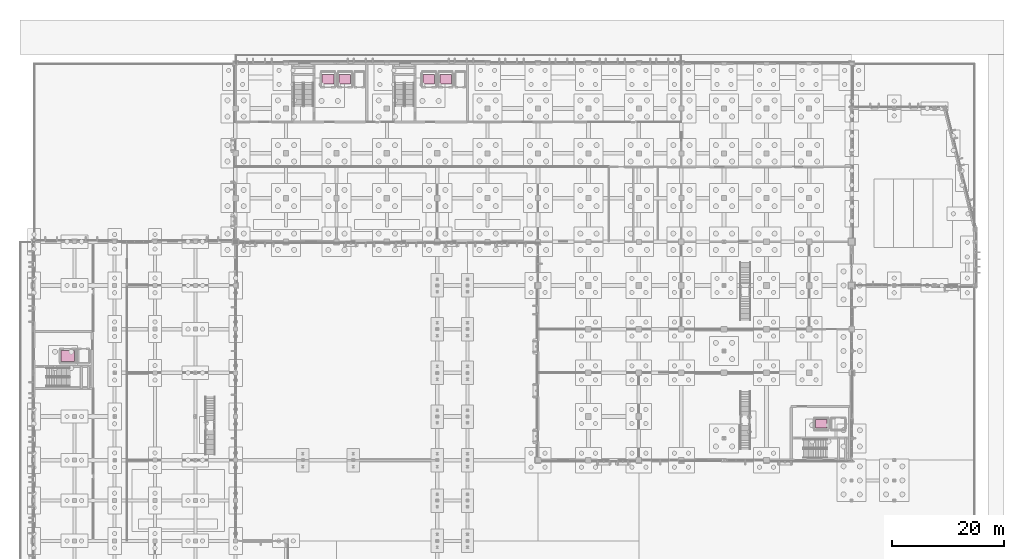
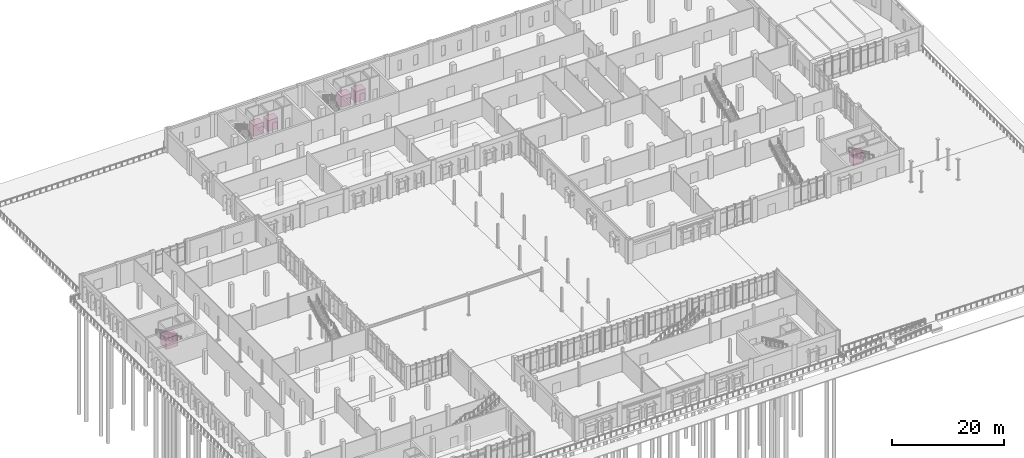
# One storey, part 94 of 94: 6 transport elements.
"""IFC4 building model written with IfcOpenShell, lengths in metres."""

from ifc_helpers import new_model, si_unit, direction, frame, origin, origin_2d, place, context, subcontext, project, spatial, rectangle, extrude, material, type_object, element, save


model = new_model("IFC4")

# Units and contexts
model_context = context("Model", 3, precision=1e-05, world=origin(), true_north=direction((0.0, 1.0)))
body_context = subcontext(model_context, "Body", "Model", "MODEL_VIEW")
ifc_project = project(units=[si_unit("LENGTHUNIT", "METRE"), si_unit("AREAUNIT", "SQUARE_METRE"), si_unit("VOLUMEUNIT", "CUBIC_METRE"), si_unit("PLANEANGLEUNIT", "RADIAN"), si_unit("MASSUNIT", "GRAM", prefix="KILO")], contexts=[model_context])

# Site, building, storey
site_placement = place(None, origin())
site = spatial("IfcSite", under=ifc_project, at=site_placement, CompositionType="ELEMENT")
building_placement = place(site_placement, origin())
building = spatial("IfcBuilding", under=site, at=building_placement, Name="Vervanel Yard Central Library", CompositionType="ELEMENT")
storey_placement = place(building_placement, origin())
storey = spatial("IfcBuildingStorey", under=building, at=storey_placement, Name="L00", CompositionType="ELEMENT", Elevation=0.0)

# Transport elements
ifc_material = material(Name="Brushed stainless steel AISI 316", Category="steel")
transport_element_type_1 = type_object("IfcTransportElementType", Name="Traction Elevator Assembly EL-01", PredefinedType="ELEVATOR", material=ifc_material)
for number, where, z_axis, x_axis, name in (
    (1, (52.5, 111.199951171875, 0.0), (0.0, 0.0, 1.0), (1.0, 0.0, 0.0), "Elevator EL-01 (Public stretcher lift)"),
    (2, (55.5, 111.199951171875, 0.0), (0.0, 0.0, 1.0), (1.0, 0.0, 0.0), "Elevator EL-02 (Public stretcher lift)"),
    (3, (70.5, 111.199951171875, 0.0), (0.0, 0.0, 1.0), (1.0, 0.0, 0.0), "Elevator EL-03 (Public passenger lift)"),
    (4, (73.5, 111.199951171875, 0.0), (0.0, 0.0, 1.0), (1.0, 0.0, 0.0), "Elevator EL-04 (Public passenger lift)"),
):
    element("IfcTransportElement", number, at=place(storey_placement, frame(where, z_axis=z_axis, x_axis=x_axis)), inside=storey, type_object=transport_element_type_1, Name=name, PredefinedType="ELEVATOR", context=body_context, shape_type="SweptSolid", body=[
        extrude(rectangle(XDim=2.10009765625, YDim=1.64990234375, at=origin_2d()), origin(), (0.0, 0.0, 1.0), 2.39990234375),
    ])
transport_element_type_2 = type_object("IfcTransportElementType", Name="Traction Elevator Assembly EL-05", PredefinedType="ELEVATOR", material=ifc_material)
transport_element_1_placement = place(storey_placement, frame((140.550048828125, 49.699951171875, 0.0), z_axis=(0.0, 0.0, 1.0), x_axis=(1.0, 0.0, 0.0)))
element("IfcTransportElement", 5, at=transport_element_1_placement, inside=storey, type_object=transport_element_type_2, Name="Elevator EL-05 (Reading hall and auditorium lift)", PredefinedType="ELEVATOR", context=body_context, shape_type="SweptSolid", body=[
    extrude(rectangle(XDim=2.050048828125, YDim=1.550048828125, at=origin_2d()), origin(), (0.0, 0.0, 1.0), 2.39990234375),
])
transport_element_type_3 = type_object("IfcTransportElementType", Name="Traction Elevator Assembly EL-06", PredefinedType="ELEVATOR", material=ifc_material)
transport_element_2_placement = place(storey_placement, frame((6.050048828125, 61.800048828125, 0.0), z_axis=(0.0, 0.0, 1.0), x_axis=(1.0, 0.0, 0.0)))
element("IfcTransportElement", 6, at=transport_element_2_placement, inside=storey, type_object=transport_element_type_3, Name="Elevator EL-06 (Collections archival freight lift)", PredefinedType="ELEVATOR", context=body_context, shape_type="SweptSolid", body=[
    extrude(rectangle(XDim=2.39990234375, YDim=2.0, at=origin_2d()), origin(), (0.0, 0.0, 1.0), 2.39990234375),
])

save(model, "model.ifc")
